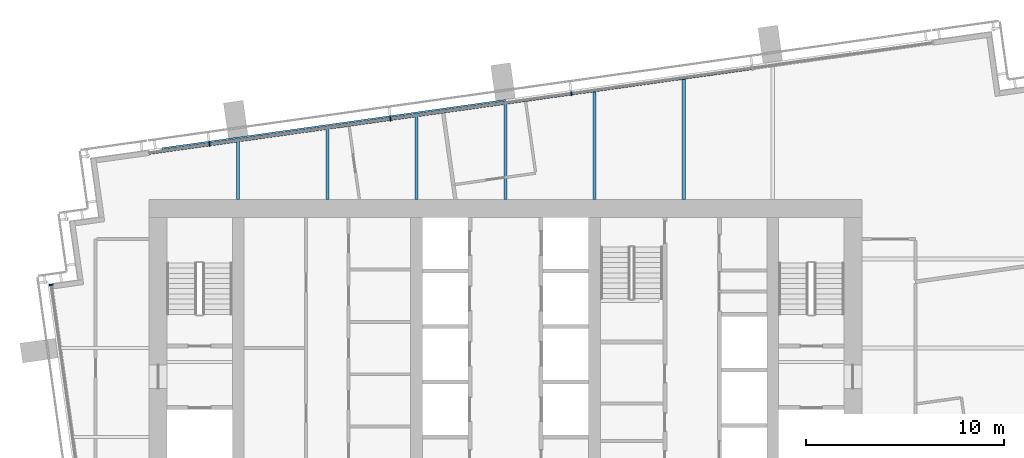
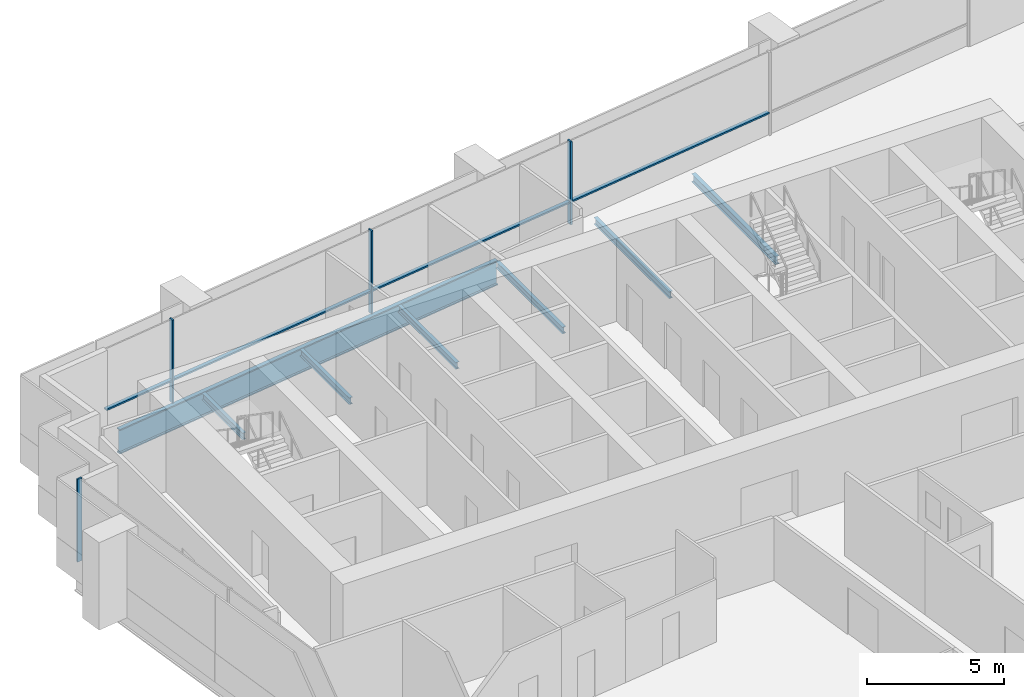
# One storey, part 6 of 18: 8 members, 7 beams, 2 elements without a shape of their own.
"""IFC4 building model written with IfcOpenShell, lengths in metres."""

from ifc_helpers import new_model, si_unit, direction, frame, origin, origin_2d, place, context, subcontext, project, spatial, rectangle, i_section, extrude, material, layer, layer_set, material_profile, profile_set, type_object, element, aggregate, save


model = new_model("IFC4")

# Units and contexts
model_context = context("Model", 3, precision=1e-05, world=origin(), true_north=direction((0.0, 1.0)))
body_context = subcontext(model_context, "Body", "Model", "MODEL_VIEW")
ifc_project = project(units=[si_unit("LENGTHUNIT", "METRE"), si_unit("AREAUNIT", "SQUARE_METRE"), si_unit("VOLUMEUNIT", "CUBIC_METRE"), si_unit("PLANEANGLEUNIT", "RADIAN"), si_unit("MASSUNIT", "GRAM", prefix="KILO")], contexts=[model_context])

# Site, building, storey
site_placement = place(None, origin())
site = spatial("IfcSite", under=ifc_project, at=site_placement, CompositionType="ELEMENT")
building_placement = place(site_placement, origin())
building = spatial("IfcBuilding", under=site, at=building_placement, Name="Rattan Terrace Tower", CompositionType="ELEMENT")
storey_placement = place(building_placement, frame((0.0, 0.0, 233.0)))
storey = spatial("IfcBuildingStorey", under=building, at=storey_placement, Name="L53", CompositionType="ELEMENT", Elevation=233.0)

# Beams
ifc_material_1 = material(Name="Steel S460", Category="steel")
ifc_material_profile_1 = material_profile(ifc_material_1, i_section(OverallWidth=0.179931640625, OverallDepth=1.10009765625, WebThickness=0.01611328125, FlangeThickness=0.050048828125, at=origin_2d()), Name="PG 1100x180-16-50")
ifc_profile_set_1 = profile_set([ifc_material_profile_1], Name="Steel S460")
beam_type_1 = type_object("IfcBeamType", Name="Frame edge girder PG 1100x180-16-50", PredefinedType="SPANDREL", material=ifc_profile_set_1)
beam_1_placement = place(storey_placement, frame((-17.347900390625, 10.031005859375, -0.75), z_axis=(0.990267797657, 0.13917502981, 0.0), x_axis=(-0.13917502981, 0.990267797657, 0.0)))
element("IfcBeam", 1, at=beam_1_placement, inside=storey, type_object=beam_type_1, Name="gdr-L53-005", PredefinedType="SPANDREL", context=body_context, shape_type="SweptSolid", body=[
    extrude(i_section(OverallWidth=0.179931640625, OverallDepth=1.10009765625, WebThickness=0.01611328125, FlangeThickness=0.050048828125, at=origin_2d()), origin(), (0.0, 0.0, 1.0), 17.531494140625),
])
ifc_material_2 = material(Name="Steel S355", Category="steel")
ifc_material_profile_2 = material_profile(ifc_material_2, i_section(OverallWidth=0.14990234375, OverallDepth=0.300048828125, WebThickness=0.007080078125, FlangeThickness=0.0107421875, FilletRadius=0.014892578125, at=origin_2d()), Name="IPE 300")
ifc_profile_set_2 = profile_set([ifc_material_profile_2], Name="Steel S355")
beam_type_2 = type_object("IfcBeamType", Name="Frame floor beam IPE 300", PredefinedType="JOIST", material=ifc_profile_set_2)
beam_2_placement = place(storey_placement, frame((-13.5, 7.5, -0.35009765625), z_axis=(0.0, 1.0, 0.0), x_axis=(-1.0, 0.0, 0.0)))
element("IfcBeam", 2, at=beam_2_placement, inside=storey, type_object=beam_type_2, Name="bm-L53-014", PredefinedType="JOIST", context=body_context, shape_type="SweptSolid", body=[
    extrude(i_section(OverallWidth=0.14990234375, OverallDepth=0.300048828125, WebThickness=0.007080078125, FlangeThickness=0.0107421875, FilletRadius=0.014892578125, at=origin_2d()), origin(), (0.0, 0.0, 1.0), 2.969970703125),
])
beam_3_placement = place(storey_placement, frame((-9.0, 7.5, -0.35009765625), z_axis=(0.0, 1.0, 0.0), x_axis=(-1.0, 0.0, 0.0)))
element("IfcBeam", 3, at=beam_3_placement, inside=storey, type_object=beam_type_2, Name="bm-L53-015", PredefinedType="JOIST", context=body_context, shape_type="SweptSolid", body=[
    extrude(i_section(OverallWidth=0.14990234375, OverallDepth=0.300048828125, WebThickness=0.007080078125, FlangeThickness=0.0107421875, FilletRadius=0.014892578125, at=origin_2d()), origin(), (0.0, 0.0, 1.0), 3.60302734375),
])
beam_4_placement = place(storey_placement, frame((-4.5, 7.5, -0.35009765625), z_axis=(0.0, 1.0, 0.0), x_axis=(-1.0, 0.0, 0.0)))
element("IfcBeam", 4, at=beam_4_placement, inside=storey, type_object=beam_type_2, Name="bm-L53-016", PredefinedType="JOIST", context=body_context, shape_type="SweptSolid", body=[
    extrude(i_section(OverallWidth=0.14990234375, OverallDepth=0.300048828125, WebThickness=0.007080078125, FlangeThickness=0.0107421875, FilletRadius=0.014892578125, at=origin_2d()), origin(), (0.0, 0.0, 1.0), 4.235107421875),
])
beam_5_placement = place(storey_placement, frame((0.0, 7.5, -0.35009765625), z_axis=(0.0, 1.0, 0.0), x_axis=(-1.0, 0.0, 0.0)))
element("IfcBeam", 5, at=beam_5_placement, inside=storey, type_object=beam_type_2, Name="bm-L53-017", PredefinedType="JOIST", context=body_context, shape_type="SweptSolid", body=[
    extrude(i_section(OverallWidth=0.14990234375, OverallDepth=0.300048828125, WebThickness=0.007080078125, FlangeThickness=0.0107421875, FilletRadius=0.014892578125, at=origin_2d()), origin(), (0.0, 0.0, 1.0), 4.867919921875),
])
beam_6_placement = place(storey_placement, frame((4.5, 7.5, -0.35009765625), z_axis=(0.0, 1.0, 0.0), x_axis=(-1.0, 0.0, 0.0)))
element("IfcBeam", 6, at=beam_6_placement, inside=storey, type_object=beam_type_2, Name="bm-L53-018", PredefinedType="JOIST", context=body_context, shape_type="SweptSolid", body=[
    extrude(i_section(OverallWidth=0.14990234375, OverallDepth=0.300048828125, WebThickness=0.007080078125, FlangeThickness=0.0107421875, FilletRadius=0.014892578125, at=origin_2d()), origin(), (0.0, 0.0, 1.0), 5.5),
])
ifc_material_3 = material(Name="Steel S355", Category="steel")
ifc_material_profile_3 = material_profile(ifc_material_3, i_section(OverallWidth=0.169921875, OverallDepth=0.360107421875, WebThickness=0.008056640625, FlangeThickness=0.0126953125, FilletRadius=0.01806640625, at=origin_2d()), Name="IPE 360")
ifc_profile_set_3 = profile_set([ifc_material_profile_3], Name="Steel S355")
beam_type_3 = type_object("IfcBeamType", Name="Frame floor beam IPE 360", PredefinedType="JOIST", material=ifc_profile_set_3)
beam_7_placement = place(storey_placement, frame((9.0, 7.5, -0.3798828125), z_axis=(0.0, 1.0, 0.0), x_axis=(-1.0, 0.0, 0.0)))
element("IfcBeam", 7, at=beam_7_placement, inside=storey, type_object=beam_type_3, Name="bm-L53-019", PredefinedType="JOIST", context=body_context, shape_type="SweptSolid", body=[
    extrude(i_section(OverallWidth=0.169921875, OverallDepth=0.360107421875, WebThickness=0.008056640625, FlangeThickness=0.0126953125, FilletRadius=0.01806640625, at=origin_2d()), origin(), (0.0, 0.0, 1.0), 6.131103515625),
])

# Curtain wall, members
ifc_material_4 = material(Name="Aluminium and laminated glass", Category="aluminium")
ifc_layer = layer(ifc_material_4, 0.199951171875)
ifc_layer_set = layer_set([ifc_layer], Name="High-Zone Unitised Curtain Wall")
curtain_wall_type = type_object("IfcCurtainWallType", Name="High-Zone Unitised Curtain Wall", PredefinedType="NOTDEFINED", material=ifc_layer_set)
curtain_wall_1_placement = place(storey_placement, origin())
curtain_wall_1 = element("IfcCurtainWall", 8, at=curtain_wall_1_placement, inside=storey, type_object=curtain_wall_type, Name="High-zone curtain wall L53-2", PredefinedType="NOTDEFINED")
ifc_material_5 = material(Name="Aluminium", Category="aluminium")
ifc_material_profile_4 = material_profile(ifc_material_5, rectangle(XDim=0.070068359375, YDim=0.199951171875, at=origin_2d()), Name="Aluminium 70x200")
ifc_profile_set_4 = profile_set([ifc_material_profile_4], Name="Aluminium")
member_type_1 = type_object("IfcMemberType", Name="High-Zone CW Mullion 70x200", PredefinedType="MULLION", material=ifc_profile_set_4)
member_1_placement = place(storey_placement, frame((3.332275390625, 12.856201171875, 0.0), z_axis=(0.0, 0.0, 1.0), x_axis=(-0.990267457022, -0.139177453499, 0.0)))
member_1 = element("IfcMember", 9, at=member_1_placement, type_object=member_type_1, Name="Mullion cwl-L53-002.3", PredefinedType="MULLION", context=body_context, shape_type="SweptSolid", body=[
    extrude(rectangle(XDim=0.070068359375, YDim=0.199951171875, at=origin_2d()), origin(), (0.0, 0.0, 1.0), 3.699951171875),
])
member_2_placement = place(storey_placement, frame((-5.808837890625, 11.571533203125, 0.0), z_axis=(0.0, 0.0, 1.0), x_axis=(-0.990267457022, -0.139177453499, 0.0)))
member_2 = element("IfcMember", 10, at=member_2_placement, type_object=member_type_1, Name="Mullion cwl-L53-002.4", PredefinedType="MULLION", context=body_context, shape_type="SweptSolid", body=[
    extrude(rectangle(XDim=0.070068359375, YDim=0.199951171875, at=origin_2d()), origin(), (0.0, 0.0, 1.0), 3.699951171875),
])
member_3_placement = place(storey_placement, frame((-14.949951171875, 10.28662109375, 0.0), z_axis=(0.0, 0.0, 1.0), x_axis=(-0.990267457022, -0.139177453499, 0.0)))
member_3 = element("IfcMember", 11, at=member_3_placement, type_object=member_type_1, Name="Mullion cwl-L53-002.5", PredefinedType="MULLION", context=body_context, shape_type="SweptSolid", body=[
    extrude(rectangle(XDim=0.070068359375, YDim=0.199951171875, at=origin_2d()), origin(), (0.0, 0.0, 1.0), 3.699951171875),
])

# Curtain wall, member
curtain_wall_2_placement = place(storey_placement, origin())
curtain_wall_2 = element("IfcCurtainWall", 12, at=curtain_wall_2_placement, inside=storey, type_object=curtain_wall_type, Name="High-zone curtain wall L53-3", PredefinedType="NOTDEFINED")
member_4_placement = place(storey_placement, frame((-22.946533203125, 3.1943359375, 0.0), z_axis=(0.0, 0.0, 1.0), x_axis=(0.139186165309, -0.990266232579, 0.0)))
member_4 = element("IfcMember", 13, at=member_4_placement, type_object=member_type_1, Name="Mullion cwl-L53-003.1", PredefinedType="MULLION", context=body_context, shape_type="SweptSolid", body=[
    extrude(rectangle(XDim=0.070068359375, YDim=0.199951171875, at=origin_2d()), origin(), (0.0, 0.0, 1.0), 3.699951171875),
])
aggregate(curtain_wall_2, [member_4])

# Member
ifc_material_6 = material(Name="Aluminium", Category="aluminium")
ifc_material_profile_5 = material_profile(ifc_material_6, rectangle(XDim=0.159912109375, YDim=0.070068359375, at=origin_2d()), Name="Aluminium 160x70")
ifc_profile_set_5 = profile_set([ifc_material_profile_5], Name="Aluminium")
member_type_2 = type_object("IfcMemberType", Name="High-Zone CW Transom 160x70", PredefinedType="USERDEFINED", material=ifc_profile_set_5)
member_5_placement = place(storey_placement, frame((12.438720703125, 14.135986328125, 1.0), z_axis=(-0.990268863305, -0.13916744723, 0.0), x_axis=(0.13916744723, -0.990268863305, 0.0)))
member_5 = element("IfcMember", 14, at=member_5_placement, type_object=member_type_2, Name="Transom cwl-L53-002.2", ObjectType="TRANSOM", PredefinedType="USERDEFINED", context=body_context, shape_type="SweptSolid", body=[
    extrude(rectangle(XDim=0.159912109375, YDim=0.070068359375, at=origin_2d()), origin(), (0.0, 0.0, 1.0), 9.160888671875),
])

member_6_placement = place(storey_placement, frame((3.297607421875, 12.851318359375, 1.0), z_axis=(-0.990265190222, -0.139193581154, 0.0), x_axis=(0.139193581154, -0.990265190222, 0.0)))
member_6 = element("IfcMember", 15, at=member_6_placement, type_object=member_type_2, Name="Transom cwl-L53-002.3", ObjectType="TRANSOM", PredefinedType="USERDEFINED", context=body_context, shape_type="SweptSolid", body=[
    extrude(rectangle(XDim=0.159912109375, YDim=0.070068359375, at=origin_2d()), origin(), (0.0, 0.0, 1.0), 9.160888671875),
])

member_7_placement = place(storey_placement, frame((-5.843505859375, 11.566650390625, 1.0), z_axis=(-0.990265190222, -0.139193581154, 0.0), x_axis=(0.139193581154, -0.990265190222, 0.0)))
member_7 = element("IfcMember", 16, at=member_7_placement, type_object=member_type_2, Name="Transom cwl-L53-002.4", ObjectType="TRANSOM", PredefinedType="USERDEFINED", context=body_context, shape_type="SweptSolid", body=[
    extrude(rectangle(XDim=0.159912109375, YDim=0.070068359375, at=origin_2d()), origin(), (0.0, 0.0, 1.0), 9.160888671875),
])

member_8_placement = place(storey_placement, frame((-14.984619140625, 10.28173828125, 1.0), z_axis=(-0.990269723995, -0.139161322712, 0.0), x_axis=(0.139161322712, -0.990269723995, 0.0)))
member_8 = element("IfcMember", 17, at=member_8_placement, type_object=member_type_2, Name="Transom cwl-L53-002.5", ObjectType="TRANSOM", PredefinedType="USERDEFINED", context=body_context, shape_type="SweptSolid", body=[
    extrude(rectangle(XDim=0.159912109375, YDim=0.070068359375, at=origin_2d()), origin(), (0.0, 0.0, 1.0), 3.040283203125),
])

aggregate(curtain_wall_1, [member_1, member_2, member_3, member_5, member_6, member_7, member_8])

save(model, "model.ifc")
